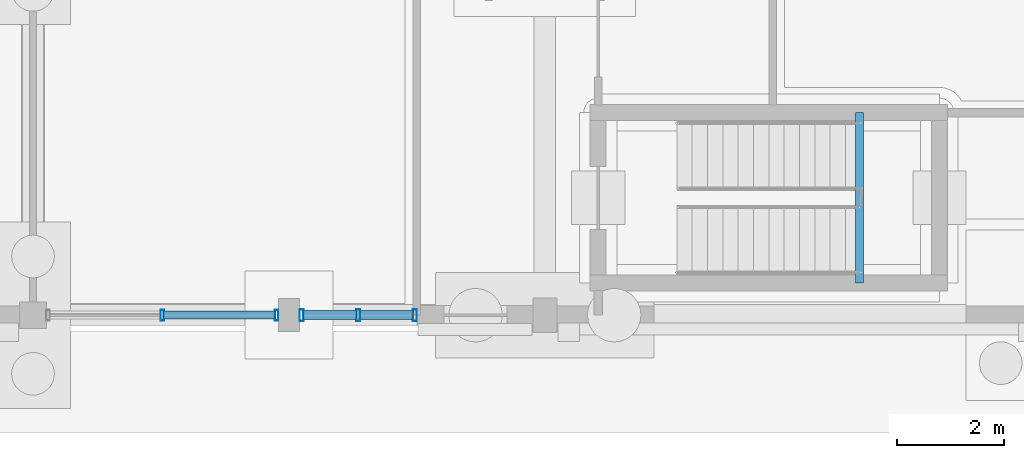
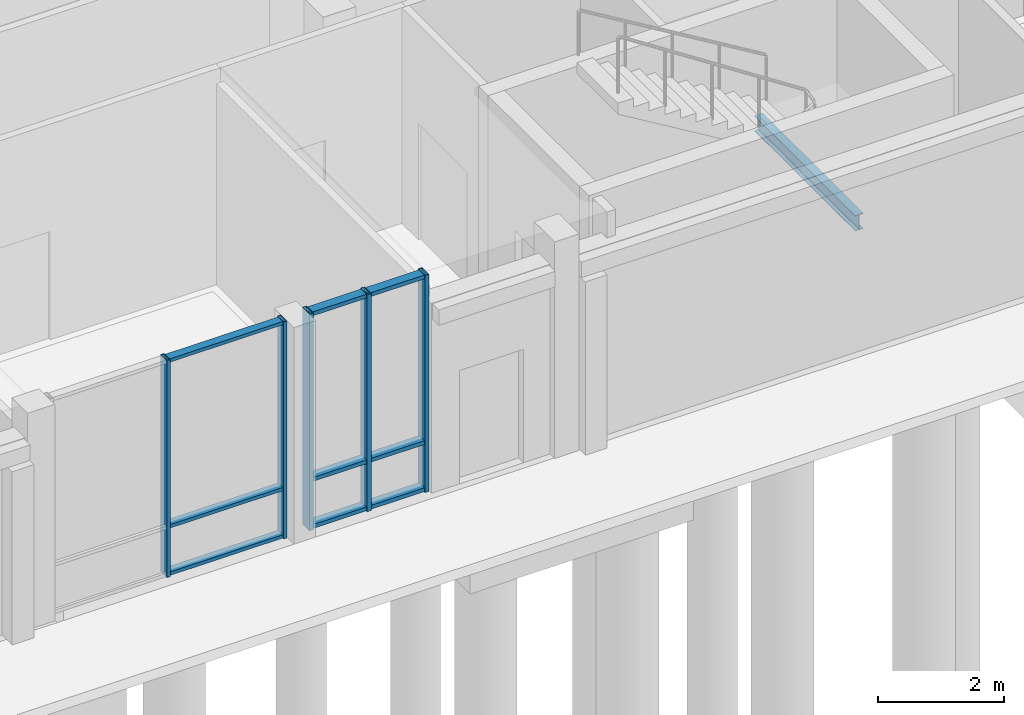
# One storey, part 46 of 104: 14 members, 1 beam, 2 elements without a shape of their own.
"""IFC4 building model written with IfcOpenShell, lengths in metres."""

from ifc_helpers import new_model, si_unit, direction, frame, origin, origin_2d, place, context, subcontext, project, spatial, hollow_rectangle, i_section, extrude, material, material_profile, profile_set, type_object, element, aggregate, save


model = new_model("IFC4")

# Units and contexts
model_context = context("Model", 3, precision=1e-05, world=origin(), true_north=direction((0.0, 1.0)))
body_context = subcontext(model_context, "Body", "Model", "MODEL_VIEW")
ifc_project = project(units=[si_unit("LENGTHUNIT", "METRE"), si_unit("AREAUNIT", "SQUARE_METRE"), si_unit("VOLUMEUNIT", "CUBIC_METRE"), si_unit("PLANEANGLEUNIT", "RADIAN"), si_unit("MASSUNIT", "GRAM", prefix="KILO")], contexts=[model_context])

# Site, building, storey
site_placement = place(None, origin())
site = spatial("IfcSite", under=ifc_project, at=site_placement, CompositionType="ELEMENT")
building_placement = place(site_placement, origin())
building = spatial("IfcBuilding", under=site, at=building_placement, Name="Hawrajan Terrace Health Centre", CompositionType="ELEMENT")
storey_placement = place(building_placement, origin())
storey = spatial("IfcBuildingStorey", under=building, at=storey_placement, Name="L00", CompositionType="ELEMENT", Elevation=0.0)

# Curtain wall, members
ifc_material_1 = material(Name="Anodized bronze aluminium and low-E solar glazing", Category="aluminium")
curtain_wall_type_1 = type_object("IfcCurtainWallType", Name="CW_Pavilion_SeriesE2", PredefinedType="USERDEFINED", material=ifc_material_1)
curtain_wall_1_placement = place(storey_placement, origin())
curtain_wall_1 = element("IfcCurtainWall", 1, at=curtain_wall_1_placement, inside=storey, type_object=curtain_wall_type_1, Name="Curtain wall CW-L00-037", ObjectType="UNITISED CURTAIN WALL", PredefinedType="USERDEFINED")
ifc_material_2 = material(Name="Anodized bronze aluminium 6063-T6", Category="aluminium")
ifc_material_profile_1 = material_profile(ifc_material_2, hollow_rectangle(XDim=0.06494140625, YDim=0.199951171875, WallThickness=0.00439453125, at=origin_2d()), Name="CW MUL 65x200")
ifc_profile_set_1 = profile_set([ifc_material_profile_1], Name="Anodized bronze aluminium 6063-T6")
member_type_1 = type_object("IfcMemberType", Name="CWMullion_65x200", PredefinedType="MULLION", material=ifc_profile_set_1)
member_1_placement = place(storey_placement, frame((83.824951171875, 4.199951171875, -0.0048828125), z_axis=(0.0, 0.0, 1.0), x_axis=(1.0, 0.0, 0.0)))
member_1 = element("IfcMember", 2, at=member_1_placement, type_object=member_type_1, Name="Mullion CW-L00-037-M2", PredefinedType="MULLION", context=body_context, shape_type="SweptSolid", body=[
    extrude(hollow_rectangle(XDim=0.06494140625, YDim=0.199951171875, WallThickness=0.00439453125, at=origin_2d()), origin(), (0.0, 0.0, 1.0), 4.2099609375),
])
member_2_placement = place(storey_placement, frame((85.967529296875, 4.199951171875, -0.0048828125), z_axis=(0.0, 0.0, 1.0), x_axis=(1.0, 0.0, 0.0)))
member_2 = element("IfcMember", 3, at=member_2_placement, type_object=member_type_1, Name="Mullion CW-L00-037-M3", PredefinedType="MULLION", context=body_context, shape_type="SweptSolid", body=[
    extrude(hollow_rectangle(XDim=0.06494140625, YDim=0.199951171875, WallThickness=0.00439453125, at=origin_2d()), origin(), (0.0, 0.0, 1.0), 4.2099609375),
])

curtain_wall_type_2 = type_object("IfcCurtainWallType", Name="CW_Garden_SeriesF1", PredefinedType="USERDEFINED", material=ifc_material_1)
curtain_wall_2_placement = place(storey_placement, origin())
curtain_wall_2 = element("IfcCurtainWall", 4, at=curtain_wall_2_placement, inside=storey, type_object=curtain_wall_type_2, Name="Curtain wall CW-L00-038", ObjectType="UNITISED CURTAIN WALL", PredefinedType="USERDEFINED")
ifc_material_profile_2 = material_profile(ifc_material_2, hollow_rectangle(XDim=0.074951171875, YDim=0.219970703125, WallThickness=0.0048828125, at=origin_2d()), Name="CW MUL 75x220")
ifc_profile_set_2 = profile_set([ifc_material_profile_2], Name="Anodized bronze aluminium 6063-T6")
member_type_2 = type_object("IfcMemberType", Name="CWMullion_75x220", PredefinedType="MULLION", material=ifc_profile_set_2)
member_3_placement = place(storey_placement, frame((86.4375, 4.199951171875, -0.0048828125), z_axis=(0.0, 0.0, 1.0), x_axis=(1.0, 0.0, 0.0)))
member_3 = element("IfcMember", 5, at=member_3_placement, type_object=member_type_2, Name="Mullion CW-L00-038-M1", PredefinedType="MULLION", context=body_context, shape_type="SweptSolid", body=[
    extrude(hollow_rectangle(XDim=0.074951171875, YDim=0.219970703125, WallThickness=0.0048828125, at=origin_2d()), origin(), (0.0, 0.0, 1.0), 4.2099609375),
])
member_4_placement = place(storey_placement, frame((87.5, 4.199951171875, -0.0048828125), z_axis=(0.0, 0.0, 1.0), x_axis=(1.0, 0.0, 0.0)))
member_4 = element("IfcMember", 6, at=member_4_placement, type_object=member_type_2, Name="Mullion CW-L00-038-M2", PredefinedType="MULLION", context=body_context, shape_type="SweptSolid", body=[
    extrude(hollow_rectangle(XDim=0.074951171875, YDim=0.219970703125, WallThickness=0.0048828125, at=origin_2d()), origin(), (0.0, 0.0, 1.0), 4.2099609375),
])
member_5_placement = place(storey_placement, frame((88.5625, 4.199951171875, -0.0048828125), z_axis=(0.0, 0.0, 1.0), x_axis=(1.0, 0.0, 0.0)))
member_5 = element("IfcMember", 7, at=member_5_placement, type_object=member_type_2, Name="Mullion CW-L00-038-M3", PredefinedType="MULLION", context=body_context, shape_type="SweptSolid", body=[
    extrude(hollow_rectangle(XDim=0.074951171875, YDim=0.219970703125, WallThickness=0.0048828125, at=origin_2d()), origin(), (0.0, 0.0, 1.0), 4.2099609375),
])

# Member
ifc_material_profile_3 = material_profile(ifc_material_2, hollow_rectangle(XDim=0.06494140625, YDim=0.14990234375, WallThickness=0.00390625, at=origin_2d()), Name="CW TRN 65x150")
ifc_profile_set_3 = profile_set([ifc_material_profile_3], Name="Anodized bronze aluminium 6063-T6")
member_type_3 = type_object("IfcMemberType", Name="CWTransom_65x150", PredefinedType="USERDEFINED", material=ifc_profile_set_3)
member_6_placement = place(storey_placement, frame((83.8515625, 4.199951171875, 0.032470703125), z_axis=(1.0, 0.0, 0.0), x_axis=(0.0, 0.0, 1.0)))
member_6 = element("IfcMember", 8, at=member_6_placement, type_object=member_type_3, Name="Transom CW-L00-037-T2-1", ObjectType="TRANSOM", PredefinedType="USERDEFINED", context=body_context, shape_type="SweptSolid", body=[
    extrude(hollow_rectangle(XDim=0.06494140625, YDim=0.14990234375, WallThickness=0.00390625, at=origin_2d()), origin(), (0.0, 0.0, 1.0), 2.08935546875),
])

member_7_placement = place(storey_placement, frame((83.8515625, 4.199951171875, 0.949951171875), z_axis=(1.0, 0.0, 0.0), x_axis=(0.0, 0.0, 1.0)))
member_7 = element("IfcMember", 9, at=member_7_placement, type_object=member_type_3, Name="Transom CW-L00-037-T2-2", ObjectType="TRANSOM", PredefinedType="USERDEFINED", context=body_context, shape_type="SweptSolid", body=[
    extrude(hollow_rectangle(XDim=0.06494140625, YDim=0.14990234375, WallThickness=0.00390625, at=origin_2d()), origin(), (0.0, 0.0, 1.0), 2.08935546875),
])

member_8_placement = place(storey_placement, frame((83.8515625, 4.199951171875, 4.16748046875), z_axis=(1.0, 0.0, 0.0), x_axis=(0.0, 0.0, 1.0)))
member_8 = element("IfcMember", 10, at=member_8_placement, type_object=member_type_3, Name="Transom CW-L00-037-T2-3", ObjectType="TRANSOM", PredefinedType="USERDEFINED", context=body_context, shape_type="SweptSolid", body=[
    extrude(hollow_rectangle(XDim=0.06494140625, YDim=0.14990234375, WallThickness=0.00390625, at=origin_2d()), origin(), (0.0, 0.0, 1.0), 2.08935546875),
])

aggregate(curtain_wall_1, [member_1, member_2, member_6, member_7, member_8])

ifc_material_profile_4 = material_profile(ifc_material_2, hollow_rectangle(XDim=0.074951171875, YDim=0.169921875, WallThickness=0.00439453125, at=origin_2d()), Name="CW TRN 75x170")
ifc_profile_set_4 = profile_set([ifc_material_profile_4], Name="Anodized bronze aluminium 6063-T6")
member_type_4 = type_object("IfcMemberType", Name="CWTransom_75x170", PredefinedType="USERDEFINED", material=ifc_profile_set_4)
member_9_placement = place(storey_placement, frame((86.468994140625, 4.199951171875, 0.03759765625), z_axis=(1.0, 0.0, 0.0), x_axis=(0.0, 0.0, 1.0)))
member_9 = element("IfcMember", 11, at=member_9_placement, type_object=member_type_4, Name="Transom CW-L00-038-T1-1", ObjectType="TRANSOM", PredefinedType="USERDEFINED", context=body_context, shape_type="SweptSolid", body=[
    extrude(hollow_rectangle(XDim=0.074951171875, YDim=0.169921875, WallThickness=0.00439453125, at=origin_2d()), origin(), (0.0, 0.0, 1.0), 0.99951171875),
])

member_10_placement = place(storey_placement, frame((86.468994140625, 4.199951171875, 0.949951171875), z_axis=(1.0, 0.0, 0.0), x_axis=(0.0, 0.0, 1.0)))
member_10 = element("IfcMember", 12, at=member_10_placement, type_object=member_type_4, Name="Transom CW-L00-038-T1-2", ObjectType="TRANSOM", PredefinedType="USERDEFINED", context=body_context, shape_type="SweptSolid", body=[
    extrude(hollow_rectangle(XDim=0.074951171875, YDim=0.169921875, WallThickness=0.00439453125, at=origin_2d()), origin(), (0.0, 0.0, 1.0), 0.99951171875),
])

member_11_placement = place(storey_placement, frame((86.468994140625, 4.199951171875, 4.16259765625), z_axis=(1.0, 0.0, 0.0), x_axis=(0.0, 0.0, 1.0)))
member_11 = element("IfcMember", 13, at=member_11_placement, type_object=member_type_4, Name="Transom CW-L00-038-T1-3", ObjectType="TRANSOM", PredefinedType="USERDEFINED", context=body_context, shape_type="SweptSolid", body=[
    extrude(hollow_rectangle(XDim=0.074951171875, YDim=0.169921875, WallThickness=0.00439453125, at=origin_2d()), origin(), (0.0, 0.0, 1.0), 0.99951171875),
])

member_12_placement = place(storey_placement, frame((87.531494140625, 4.199951171875, 0.03759765625), z_axis=(1.0, 0.0, 0.0), x_axis=(0.0, 0.0, 1.0)))
member_12 = element("IfcMember", 14, at=member_12_placement, type_object=member_type_4, Name="Transom CW-L00-038-T2-1", ObjectType="TRANSOM", PredefinedType="USERDEFINED", context=body_context, shape_type="SweptSolid", body=[
    extrude(hollow_rectangle(XDim=0.074951171875, YDim=0.169921875, WallThickness=0.00439453125, at=origin_2d()), origin(), (0.0, 0.0, 1.0), 0.99951171875),
])

member_13_placement = place(storey_placement, frame((87.531494140625, 4.199951171875, 0.949951171875), z_axis=(1.0, 0.0, 0.0), x_axis=(0.0, 0.0, 1.0)))
member_13 = element("IfcMember", 15, at=member_13_placement, type_object=member_type_4, Name="Transom CW-L00-038-T2-2", ObjectType="TRANSOM", PredefinedType="USERDEFINED", context=body_context, shape_type="SweptSolid", body=[
    extrude(hollow_rectangle(XDim=0.074951171875, YDim=0.169921875, WallThickness=0.00439453125, at=origin_2d()), origin(), (0.0, 0.0, 1.0), 0.99951171875),
])

member_14_placement = place(storey_placement, frame((87.531494140625, 4.199951171875, 4.16259765625), z_axis=(1.0, 0.0, 0.0), x_axis=(0.0, 0.0, 1.0)))
member_14 = element("IfcMember", 16, at=member_14_placement, type_object=member_type_4, Name="Transom CW-L00-038-T2-3", ObjectType="TRANSOM", PredefinedType="USERDEFINED", context=body_context, shape_type="SweptSolid", body=[
    extrude(hollow_rectangle(XDim=0.074951171875, YDim=0.169921875, WallThickness=0.00439453125, at=origin_2d()), origin(), (0.0, 0.0, 1.0), 0.99951171875),
])

aggregate(curtain_wall_2, [member_3, member_4, member_5, member_9, member_10, member_11, member_12, member_13, member_14])

# Beam
ifc_material_3 = material(Name="Steel S355", Category="steel")
ifc_material_profile_5 = material_profile(ifc_material_3, i_section(OverallWidth=0.14990234375, OverallDepth=0.300048828125, WebThickness=0.007080078125, FlangeThickness=0.0107421875, FilletRadius=0.014892578125, at=origin_2d()), Name="IPE 300")
ifc_profile_set_5 = profile_set([ifc_material_profile_5], Name="Steel S355")
beam_type = type_object("IfcBeamType", Name="SteelBeam_IPE300", PredefinedType="JOIST", material=ifc_profile_set_5)
beam_placement = place(storey_placement, frame((96.89990234375, 4.800048828125, 1.8798828125), z_axis=(0.0, 1.0, 0.0), x_axis=(-1.0, 0.0, 0.0)))
element("IfcBeam", 17, at=beam_placement, inside=storey, type_object=beam_type, Name="Stair half-landing trimmer ST-5-L00-B1", PredefinedType="JOIST", context=body_context, shape_type="SweptSolid", body=[
    extrude(i_section(OverallWidth=0.14990234375, OverallDepth=0.300048828125, WebThickness=0.007080078125, FlangeThickness=0.0107421875, FilletRadius=0.014892578125, at=origin_2d()), origin(), (0.0, 0.0, 1.0), 3.199951171875),
])

save(model, "model.ifc")
